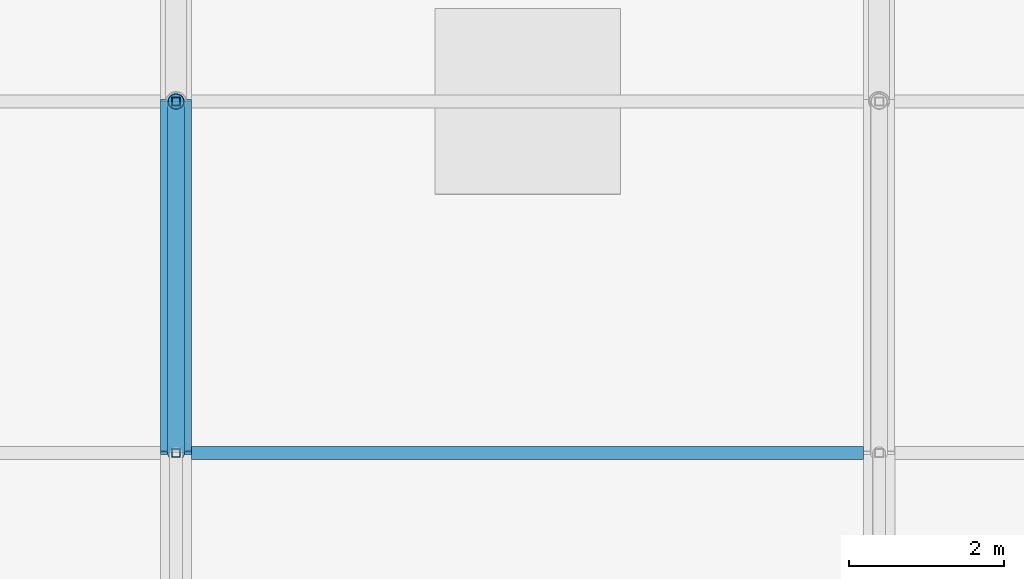
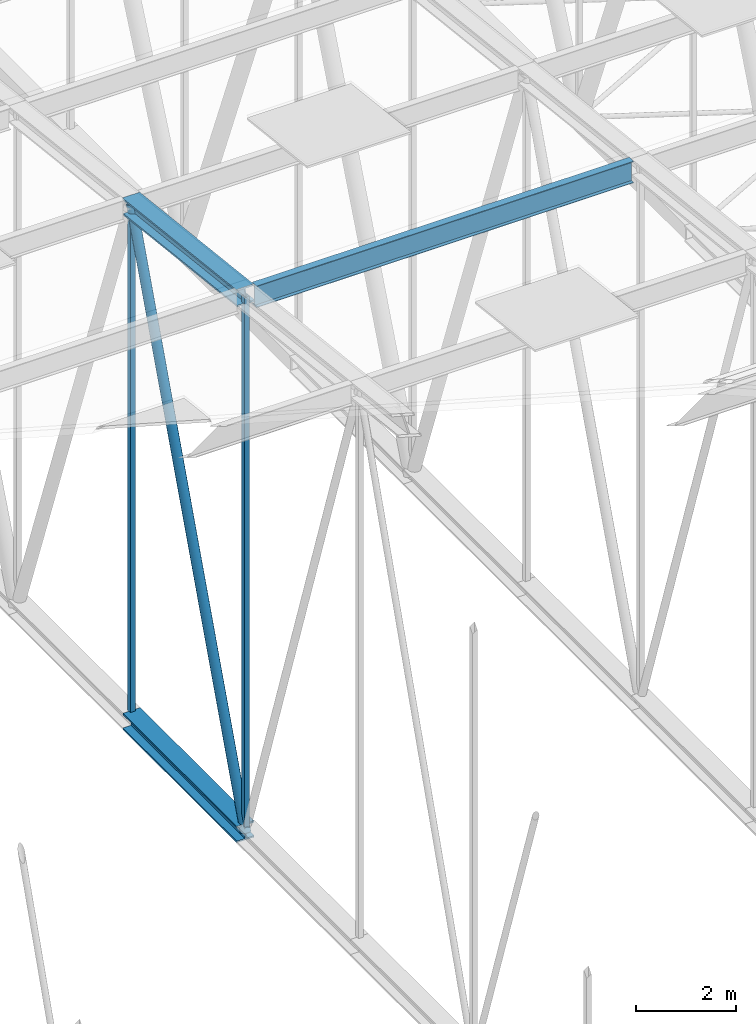
# One storey, part 261 of 500: 6 members.
"""IFC4 building model written with IfcOpenShell, lengths in metres."""

from ifc_helpers import new_model, si_unit, direction, frame, origin, origin_2d, place, context, subcontext, project, spatial, hollow_rectangle, hollow_circle, i_section, extrude, material, material_profile, profile_set, type_object, element, save


model = new_model("IFC4")

# Units and contexts
model_context = context("Model", 3, precision=1e-05, world=origin(), true_north=direction((0.0, 1.0)))
body_context = subcontext(model_context, "Body", "Model", "MODEL_VIEW")
ifc_project = project(units=[si_unit("LENGTHUNIT", "METRE"), si_unit("AREAUNIT", "SQUARE_METRE"), si_unit("VOLUMEUNIT", "CUBIC_METRE"), si_unit("PLANEANGLEUNIT", "RADIAN"), si_unit("MASSUNIT", "GRAM", prefix="KILO")], contexts=[model_context])

# Site, building, storey
site_placement = place(None, origin())
site = spatial("IfcSite", under=ifc_project, at=site_placement, CompositionType="ELEMENT")
building_placement = place(site_placement, origin())
building = spatial("IfcBuilding", under=site, at=building_placement, Name="Shirokan Park Arena", CompositionType="ELEMENT")
storey_placement = place(building_placement, frame((0.0, 0.0, 29.1201171875)))
storey = spatial("IfcBuildingStorey", under=building, at=storey_placement, Name="L06", CompositionType="ELEMENT", Elevation=29.1201171875)

# Members
ifc_material_1 = material(Name="Steel ASTM A992", Category="steel")
ifc_material_profile_1 = material_profile(ifc_material_1, i_section(OverallWidth=0.40087890625, OverallDepth=0.39892578125, WebThickness=0.02490234375, FlangeThickness=0.03955078125, at=origin_2d()), Name="W360X314")
ifc_profile_set_1 = profile_set([ifc_material_profile_1], Name="Steel ASTM A992")
member_type_1 = type_object("IfcMemberType", Name="Bottom chord W360X314", PredefinedType="CHORD", material=ifc_profile_set_1)
member_1_placement = place(storey_placement, frame((72.800048828125, 63.699951171875, 4.677001953125), z_axis=(0.0, 1.0, 0.0), x_axis=(-1.0, 0.0, 0.0)))
element("IfcMember", 1, at=member_1_placement, inside=storey, type_object=member_type_1, Name="Truss T09 bottom chord 17", PredefinedType="CHORD", context=body_context, shape_type="SweptSolid", body=[
    extrude(i_section(OverallWidth=0.40087890625, OverallDepth=0.39892578125, WebThickness=0.02490234375, FlangeThickness=0.03955078125, at=origin_2d()), origin(), (0.0, 0.0, 1.0), 4.550048828125),
])
ifc_material_profile_2 = material_profile(ifc_material_1, i_section(OverallWidth=0.166015625, OverallDepth=0.528076171875, WebThickness=0.009765625, FlangeThickness=0.013671875, at=origin_2d()), Name="W530X74")
ifc_profile_set_2 = profile_set([ifc_material_profile_2], Name="Steel ASTM A992")
member_type_2 = type_object("IfcMemberType", Name="Purlin W530X74", PredefinedType="PURLIN", material=ifc_profile_set_2)
member_2_placement = place(storey_placement, frame((73.0029296875, 63.699951171875, 17.685791015625), z_axis=(1.0, 0.0, 0.0), x_axis=(0.0, 1.0, 0.0)))
element("IfcMember", 2, at=member_2_placement, inside=storey, type_object=member_type_2, Name="Purlin 17 bay 9", PredefinedType="PURLIN", context=body_context, shape_type="SweptSolid", body=[
    extrude(i_section(OverallWidth=0.166015625, OverallDepth=0.528076171875, WebThickness=0.009765625, FlangeThickness=0.013671875, at=origin_2d()), origin(), (0.0, 0.0, 1.0), 8.694091796875),
])
ifc_material_profile_3 = material_profile(ifc_material_1, i_section(OverallWidth=0.40087890625, OverallDepth=0.39892578125, WebThickness=0.02490234375, FlangeThickness=0.03955078125, at=origin_2d()), Name="W360X314")
ifc_profile_set_3 = profile_set([ifc_material_profile_3], Name="Steel ASTM A992")
member_type_3 = type_object("IfcMemberType", Name="Top chord W360X314", PredefinedType="CHORD", material=ifc_profile_set_3)
member_3_placement = place(storey_placement, frame((72.800048828125, 63.699951171875, 17.741455078125), z_axis=(0.0, 0.993532328996, -0.113549598152), x_axis=(-1.0, 0.0, 0.0)))
element("IfcMember", 3, at=member_3_placement, inside=storey, type_object=member_type_3, Name="Truss T09 top chord 17", PredefinedType="CHORD", context=body_context, shape_type="SweptSolid", body=[
    extrude(i_section(OverallWidth=0.40087890625, OverallDepth=0.39892578125, WebThickness=0.02490234375, FlangeThickness=0.03955078125, at=origin_2d()), origin(), (0.0, 0.0, 1.0), 4.57958984375),
])
ifc_material_2 = material(Name="Steel ASTM A500 Grade C", Category="steel")
ifc_material_profile_4 = material_profile(ifc_material_2, hollow_circle(Radius=0.109619140625, WallThickness=0.009521484375, at=origin_2d()), Name="HSS219.1X9.5")
ifc_profile_set_4 = profile_set([ifc_material_profile_4], Name="Steel ASTM A500 Grade C")
member_type_4 = type_object("IfcMemberType", Name="Truss diagonal HSS219.1X9.5", PredefinedType="BRACE", material=ifc_profile_set_4)
member_4_placement = place(storey_placement, frame((72.800048828125, 63.699951171875, 4.677001953125), z_axis=(0.0, 0.340977600467, 0.94007142068), x_axis=(-1.0, 0.0, 0.0)))
element("IfcMember", 4, at=member_4_placement, inside=storey, type_object=member_type_4, Name="Truss T09 diagonal 17", PredefinedType="BRACE", context=body_context, shape_type="SweptSolid", body=[
    extrude(hollow_circle(Radius=0.109619140625, WallThickness=0.009521484375, at=origin_2d()), origin(), (0.0, 0.0, 1.0), 13.34423828125),
])
ifc_material_profile_5 = material_profile(ifc_material_2, hollow_rectangle(XDim=0.114013671875, YDim=0.114013671875, WallThickness=0.00634765625, at=origin_2d()), Name="HSS114.3X114.3X6.4")
ifc_profile_set_5 = profile_set([ifc_material_profile_5], Name="Steel ASTM A500 Grade C")
member_type_5 = type_object("IfcMemberType", Name="Truss post HSS114.3X114.3X6.4", PredefinedType="POST", material=ifc_profile_set_5)
member_5_placement = place(storey_placement, frame((72.800048828125, 63.699951171875, 4.677001953125), z_axis=(0.0, 0.0, 1.0), x_axis=(1.0, 0.0, 0.0)))
element("IfcMember", 5, at=member_5_placement, inside=storey, type_object=member_type_5, Name="Truss T09 post 17", PredefinedType="POST", context=body_context, shape_type="SweptSolid", body=[
    extrude(hollow_rectangle(XDim=0.114013671875, YDim=0.114013671875, WallThickness=0.00634765625, at=origin_2d()), origin(), (0.0, 0.0, 1.0), 13.064453125),
])
member_6_placement = place(storey_placement, frame((72.800048828125, 68.25, 4.677001953125), z_axis=(0.0, 0.0, 1.0), x_axis=(1.0, 0.0, 0.0)))
element("IfcMember", 6, at=member_6_placement, inside=storey, type_object=member_type_5, Name="Truss T09 post 18", PredefinedType="POST", context=body_context, shape_type="SweptSolid", body=[
    extrude(hollow_rectangle(XDim=0.114013671875, YDim=0.114013671875, WallThickness=0.00634765625, at=origin_2d()), origin(), (0.0, 0.0, 1.0), 12.54443359375),
])

save(model, "model.ifc")
